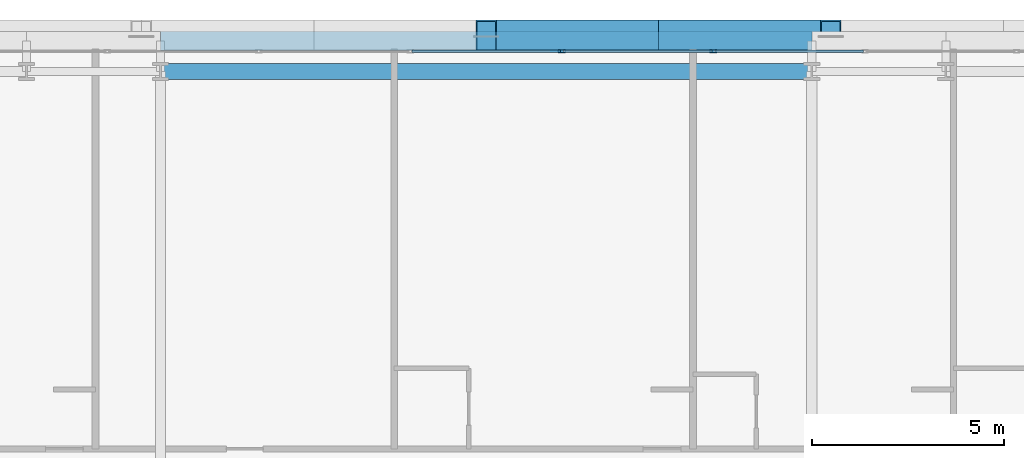
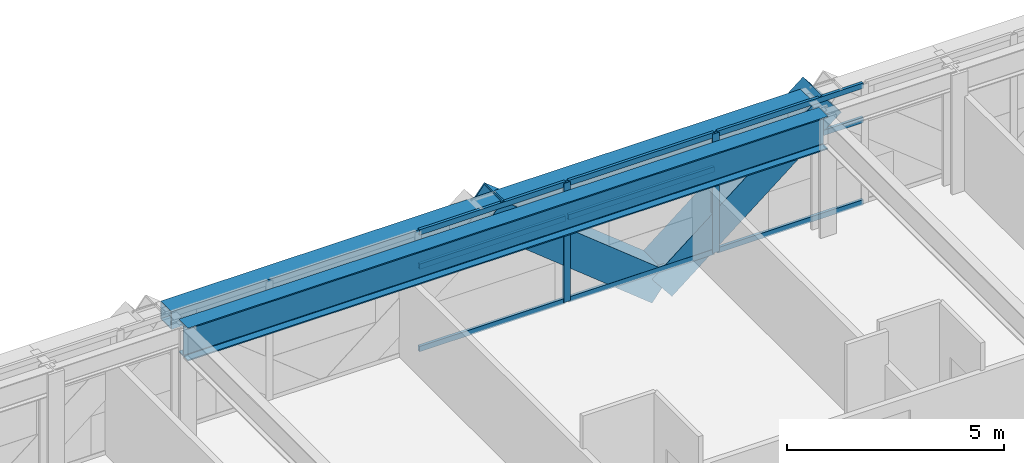
# One storey, part 19 of 38: 13 members, 2 beams, 1 element without a shape of its own.
"""IFC4 building model written with IfcOpenShell, lengths in metres."""

import ifcopenshell
import ifcopenshell.guid

model = None  # the IFC model being written
_history = None  # IfcOwnerHistory: only IFC2X3 demands one
_inside = {}  # id of a spatial element -> (the spatial element, [elements in it])
_under = {}  # id of a project, library or spatial element -> (it, [spatial elements below it])
_declared = {}  # id of a project -> (the project, [libraries it declares])
_typed = {}  # id of a type object -> (the type object, [elements of that type])
_made_of = {}  # id of a material, layer set ... -> (it, [elements and type objects made of it])


def new_model(schema):
    """Start an empty IFC model of exactly this schema.

    Asked for "IFC4X3", IfcOpenShell would pick the latest addendum, in which some entities
    have other attributes; the version numbers below select the first issue.
    IFC2X3 requires an IfcOwnerHistory on every rooted entity: one is made here for all.
    """
    global model, _history
    if schema == "IFC4X3":
        model = ifcopenshell.file(schema_version=(4, 3, 0, 0))
    else:
        model = ifcopenshell.file(schema=schema)
    _inside.clear()
    _under.clear()
    _declared.clear()
    _typed.clear()
    _made_of.clear()
    _history = None
    if model.schema == "IFC2X3":
        org = make("IfcOrganization", Name="unknown")
        user = make(
            "IfcPersonAndOrganization",
            ThePerson=make("IfcPerson", FamilyName="unknown"),
            TheOrganization=org,
        )
        app = make(
            "IfcApplication",
            ApplicationDeveloper=org,
            Version="unknown",
            ApplicationFullName="unknown",
            ApplicationIdentifier="unknown",
        )
        _history = make(
            "IfcOwnerHistory",
            OwningUser=user,
            OwningApplication=app,
            ChangeAction="ADDED",
            CreationDate=0,
        )
    return model


def make(cls, **values):
    """One entity of the class cls with the attributes given. An attribute that is None is left unset."""
    return model.create_entity(
        cls, **{name: value for name, value in values.items() if value is not None}
    )


def rooted(cls, **values):
    """An entity with a GlobalId (a new one), such as an element, a storey or a relation."""
    return make(cls, GlobalId=ifcopenshell.guid.new(), OwnerHistory=_history, **values)


def si_unit(unit_type, name, prefix=None):
    """IfcSIUnit, for example si_unit("LENGTHUNIT", "METRE", prefix="MILLI")."""
    return make("IfcSIUnit", UnitType=unit_type, Prefix=prefix, Name=name)


def assignment(units):
    """IfcUnitAssignment: the units of a project."""
    return None if units is None else make("IfcUnitAssignment", Units=units)


def point(xyz):
    """IfcCartesianPoint."""
    return None if xyz is None else make("IfcCartesianPoint", Coordinates=xyz)


def direction(xyz):
    """IfcDirection."""
    return None if xyz is None else make("IfcDirection", DirectionRatios=xyz)


def frame(location, z_axis=None, x_axis=None):
    """IfcAxis2Placement3D, a coordinate frame: its origin and axes. An axis left out is left unset."""
    return make(
        "IfcAxis2Placement3D",
        Location=point(location),
        Axis=direction(z_axis),
        RefDirection=direction(x_axis),
    )


def frame_2d(location, x_axis=None):
    """IfcAxis2Placement2D, a coordinate frame in the plane: its origin and x axis."""
    return make(
        "IfcAxis2Placement2D", Location=point(location), RefDirection=direction(x_axis)
    )


def origin():
    """The frame at (0, 0, 0) with its axes left unset."""
    return frame((0.0, 0.0, 0.0))


def origin_2d():
    """The frame at (0, 0) in the plane with its x axis left unset."""
    return frame_2d((0.0, 0.0))


def place(relative_to, where):
    """IfcLocalPlacement: puts the frame where relative to a parent placement (None: the world)."""
    return make(
        "IfcLocalPlacement", PlacementRelTo=relative_to, RelativePlacement=where
    )


def context(
    kind, dimensions, precision=None, world=None, true_north=None, identifier=None
):
    """IfcGeometricRepresentationContext, for example the 3D "Model" context."""
    return make(
        "IfcGeometricRepresentationContext",
        ContextIdentifier=identifier,
        ContextType=kind,
        CoordinateSpaceDimension=dimensions,
        Precision=precision,
        WorldCoordinateSystem=world,
        TrueNorth=true_north,
    )


def subcontext(parent, identifier, kind, view, scale=None):
    """IfcGeometricRepresentationSubContext, for example "Body" below "Model"."""
    return make(
        "IfcGeometricRepresentationSubContext",
        ContextIdentifier=identifier,
        ContextType=kind,
        ParentContext=parent,
        TargetScale=scale,
        TargetView=view,
    )


def project(units=None, contexts=None):
    """IfcProject with its units and contexts."""
    return rooted(
        "IfcProject",
        Name="project",
        RepresentationContexts=contexts,
        UnitsInContext=assignment(units),
    )


def spatial(cls, under=None, at=None, **own):
    """A site, building, storey or space (cls), placed at a placement, below another one or the project."""
    s = rooted(cls, ObjectPlacement=at, **own)
    if under is not None:
        _under.setdefault(under.id(), (under, []))[1].append(s)
    return s


def profile(cls, at=None, kind="AREA", **sizes):
    """A parametric profile (cls). Its sizes go by their IFC names, for example OverallWidth=200.0."""
    return make(cls, ProfileType=kind, Position=at, **sizes)


def hollow_rectangle(**sizes):
    """IfcRectangleHollowProfileDef."""
    return profile("IfcRectangleHollowProfileDef", **sizes)


def i_section(**sizes):
    """IfcIShapeProfileDef."""
    return profile("IfcIShapeProfileDef", **sizes)


def extrude(swept, where, along, depth):
    """IfcExtrudedAreaSolid: the profile swept, set in the frame where, extruded along a direction by depth."""
    return make(
        "IfcExtrudedAreaSolid",
        SweptArea=swept,
        Position=where,
        ExtrudedDirection=direction(along),
        Depth=depth,
    )


def shape(context_of_items, identifier, shape_type, items):
    """IfcShapeRepresentation: the items that make up one representation, for example the "Body"."""
    return make(
        "IfcShapeRepresentation",
        ContextOfItems=context_of_items,
        RepresentationIdentifier=identifier,
        RepresentationType=shape_type,
        Items=items,
    )


def source(mapping_origin, context_of_items, identifier, shape_type, items):
    """IfcRepresentationMap: a shape defined once, which mapped items show again and again."""
    return make(
        "IfcRepresentationMap",
        MappingOrigin=mapping_origin,
        MappedRepresentation=shape(context_of_items, identifier, shape_type, items),
    )


def transform(
    local_origin,
    x_axis=None,
    y_axis=None,
    z_axis=None,
    scale=None,
    scale2=None,
    scale3=None,
    uniform=True,
):
    """IfcCartesianTransformationOperator3D, or its non-uniform kind. x_axis, y_axis, z_axis: its Axis1, 2, 3."""
    if uniform:
        return make(
            "IfcCartesianTransformationOperator3D",
            Axis1=direction(x_axis),
            Axis2=direction(y_axis),
            LocalOrigin=point(local_origin),
            Scale=scale,
            Axis3=direction(z_axis),
        )
    return make(
        "IfcCartesianTransformationOperator3DnonUniform",
        Axis1=direction(x_axis),
        Axis2=direction(y_axis),
        LocalOrigin=point(local_origin),
        Scale=scale,
        Axis3=direction(z_axis),
        Scale2=scale2,
        Scale3=scale3,
    )


def mapped(mapping_source, mapping_target):
    """IfcMappedItem: shows the shape of a source again, moved by a transform."""
    return make(
        "IfcMappedItem", MappingSource=mapping_source, MappingTarget=mapping_target
    )


def material(Name=None, Category=None):
    """IfcMaterial."""
    return make("IfcMaterial", Name=Name, Category=Category)


def layer(
    of_material, thickness, ventilated=None, Name=None, Category=None, Priority=None
):
    """IfcMaterialLayer: one layer of a wall or slab, of a material (None: an air gap)."""
    return make(
        "IfcMaterialLayer",
        Material=of_material,
        LayerThickness=thickness,
        IsVentilated=ventilated,
        Name=Name,
        Category=Category,
        Priority=Priority,
    )


def layer_set(layers, Name=None):
    """IfcMaterialLayerSet."""
    return make("IfcMaterialLayerSet", MaterialLayers=layers, LayerSetName=Name)


def material_profile(
    of_material, cross_section, Name=None, Category=None, Priority=None
):
    """IfcMaterialProfile: a cross section and its material."""
    return make(
        "IfcMaterialProfile",
        Name=Name,
        Material=of_material,
        Profile=cross_section,
        Priority=Priority,
        Category=Category,
    )


def profile_set(profiles, Name=None, composite=None):
    """IfcMaterialProfileSet."""
    return make(
        "IfcMaterialProfileSet",
        Name=Name,
        MaterialProfiles=profiles,
        CompositeProfile=composite,
    )


def made_of(thing, what):
    """Note that an element or type object is made of a material, layer set ...; save() writes the relation."""
    if what is not None:
        _made_of.setdefault(what.id(), (what, []))[1].append(thing)
    return thing


def type_object(cls, material=None, **own):
    """A type object (cls), such as IfcWallType, which elements share."""
    return made_of(rooted(cls, **own), material)


def element(
    cls,
    number,
    at=None,
    inside=None,
    cuts=None,
    type_object=None,
    material=None,
    context=None,
    identifier="Body",
    shape_type=None,
    held_by="IfcProductDefinitionShape",
    body=None,
    shapes=None,
    **own,
):
    """One element of the class cls, such as IfcWall. Its Tag is "e" and its number.

    at: its placement. inside: the storey or other place that contains it. cuts: it is an
    opening in that element (IfcRelVoidsElement). A single representation is given by context,
    identifier, shape_type and body (its items); several are given by shapes. held_by: the class
    of the entity that holds the representations. save() writes the other relations.
    """
    e = rooted(cls, Tag="e%d" % number, ObjectPlacement=at, **own)
    if body is not None:
        shapes = [shape(context, identifier, shape_type, body)]
    if shapes is not None:
        e.Representation = make(held_by, Representations=shapes)
    if inside is not None:
        _inside.setdefault(inside.id(), (inside, []))[1].append(e)
    if cuts is not None:
        rooted(
            "IfcRelVoidsElement", RelatingBuildingElement=cuts, RelatedOpeningElement=e
        )
    if type_object is not None:
        _typed.setdefault(type_object.id(), (type_object, []))[1].append(e)
    return made_of(e, material)


def aggregate(whole, parts):
    """IfcRelAggregates: a whole, such as a stair, and the parts it consists of."""
    return rooted("IfcRelAggregates", RelatingObject=whole, RelatedObjects=parts)


def save(model, path):
    """Write the relations noted so far, then the file.

    IfcRelAggregates (storeys below a building ...), IfcRelContainedInSpatialStructure (elements
    in a storey), IfcRelDefinesByType, IfcRelAssociatesMaterial and IfcRelDeclares: one each for
    every whole, place, type object, material and project.
    """
    for whole, parts in _under.values():
        aggregate(whole, parts)
    for where, things in _inside.values():
        rooted(
            "IfcRelContainedInSpatialStructure",
            RelatedElements=things,
            RelatingStructure=where,
        )
    for kind, things in _typed.values():
        rooted("IfcRelDefinesByType", RelatedObjects=things, RelatingType=kind)
    for what, things in _made_of.values():
        rooted("IfcRelAssociatesMaterial", RelatedObjects=things, RelatingMaterial=what)
    for by, libraries in _declared.values():
        rooted("IfcRelDeclares", RelatingContext=by, RelatedDefinitions=libraries)
    model.write(path)


model = new_model("IFC4")

# Units and contexts
model_context = context("Model", 3, precision=1e-05, world=origin(), true_north=direction((0.0, 1.0)))
body_context = subcontext(model_context, "Body", "Model", "MODEL_VIEW")
ifc_project = project(units=[si_unit("LENGTHUNIT", "METRE"), si_unit("AREAUNIT", "SQUARE_METRE"), si_unit("VOLUMEUNIT", "CUBIC_METRE"), si_unit("PLANEANGLEUNIT", "RADIAN"), si_unit("MASSUNIT", "GRAM", prefix="KILO")], contexts=[model_context])

# Site, building, storey
site_placement = place(None, origin())
site = spatial("IfcSite", under=ifc_project, at=site_placement, CompositionType="ELEMENT")
building_placement = place(site_placement, origin())
building = spatial("IfcBuilding", under=site, at=building_placement, Name="Ocotamira Hotel", CompositionType="ELEMENT")
storey_placement = place(building_placement, frame((0.0, 0.0, 60.0)))
storey = spatial("IfcBuildingStorey", under=building, at=storey_placement, Name="L14", CompositionType="ELEMENT", Elevation=60.0)

# Beams
ifc_material_1 = material(Name="Steel ASTM A992 Grade 50", Category="steel")
ifc_material_profile_1 = material_profile(ifc_material_1, i_section(OverallWidth=0.41796875, OverallDepth=0.927001953125, WebThickness=0.019287109375, FlangeThickness=0.031982421875, FilletRadius=0.02392578125, at=origin_2d()), Name="W36X231")
ifc_profile_set_1 = profile_set([ifc_material_profile_1], Name="Steel ASTM A992 Grade 50")
beam_type_1 = type_object("IfcBeamType", Name="BM-GIRD-W36X231", PredefinedType="BEAM", material=ifc_profile_set_1)
shared_shape_1 = source(origin(), body_context, "Body", "SweptSolid", [
    extrude(i_section(OverallWidth=0.41796875, OverallDepth=0.927001953125, WebThickness=0.019287109375, FlangeThickness=0.031982421875, FilletRadius=0.02392578125, at=origin_2d()), origin(), (0.0, 0.0, 1.0), 17.0),
])
beam_1_placement = place(storey_placement, frame((23.5, 49.050048828125, 2.886474609375), z_axis=(1.0, 0.0, 0.0), x_axis=(0.0, 1.0, 0.0)))
element("IfcBeam", 1, at=beam_1_placement, inside=storey, type_object=beam_type_1, Name="L14 Girder Y49.05 X23.5-40.5", PredefinedType="BEAM", context=body_context, shape_type="MappedRepresentation", body=[
    mapped(shared_shape_1, transform((0.0, 0.0, 0.0), scale=1.0)),
])
ifc_material_2 = material(Name="Steel ASTM A500 Grade C", Category="steel")
ifc_material_profile_2 = material_profile(ifc_material_2, hollow_rectangle(XDim=0.5, YDim=0.5, WallThickness=0.02001953125, at=origin_2d()), Name="HSS500X500X20")
ifc_profile_set_2 = profile_set([ifc_material_profile_2], Name="Steel ASTM A500 Grade C")
beam_type_2 = type_object("IfcBeamType", Name="BM-SPAN-HSS500", PredefinedType="USERDEFINED", material=ifc_profile_set_2)
shared_shape_2 = source(origin(), body_context, "Body", "SweptSolid", [
    extrude(hollow_rectangle(XDim=0.5, YDim=0.5, WallThickness=0.02001953125, at=origin_2d()), origin(), (0.0, 0.0, 1.0), 17.0),
])
beam_2_placement = place(storey_placement, frame((23.5, 49.85009765625, 3.10009765625), z_axis=(1.0, 0.0, 0.0), x_axis=(0.0, 1.0, 0.0)))
element("IfcBeam", 2, at=beam_2_placement, inside=storey, type_object=beam_type_2, Name="L14 Edge Spandrel N X23.5-40.5", ObjectType="SPANDREL", PredefinedType="USERDEFINED", context=body_context, shape_type="MappedRepresentation", body=[
    mapped(shared_shape_2, transform((0.0, 0.0, 0.0), scale=1.0)),
])

# Members
ifc_material_3 = material(Name="Pale-metal coated steel ASTM A913 Grade 65", Category="steel")
ifc_material_profile_3 = material_profile(ifc_material_3, hollow_rectangle(XDim=0.85009765625, YDim=0.85009765625, WallThickness=0.035888671875, at=origin_2d()), Name="BOX850X850X36")
ifc_profile_set_3 = profile_set([ifc_material_profile_3], Name="Pale-metal coated steel ASTM A913 Grade 65")
member_type_1 = type_object("IfcMemberType", Name="MEM-EXO-BOX850", PredefinedType="BRACE", material=ifc_profile_set_3)
shared_shape_3 = source(origin(), body_context, "Body", "SweptSolid", [
    extrude(hollow_rectangle(XDim=0.85009765625, YDim=0.85009765625, WallThickness=0.035888671875, at=origin_2d()), origin(), (0.0, 0.0, 1.0), 5.762939453125),
])
for number, where, z_axis, x_axis, name in (
    (3, (36.5, 49.969970703125, -0.5), (-0.780860543151, 0.0, 0.624705380279), (0.0, -1.0, 0.0), "L14 Exoskeleton Diagrid N2.1"),
    (4, (36.5, 49.969970703125, -0.5), (0.780860543151, 0.0, 0.624705380279), (0.0, 1.0, 0.0), "L14 Exoskeleton Diagrid N2.2"),
):
    element("IfcMember", number, at=place(storey_placement, frame(where, z_axis=z_axis, x_axis=x_axis)), inside=storey, type_object=member_type_1, Name=name, PredefinedType="BRACE", context=body_context, shape_type="MappedRepresentation", body=[
        mapped(shared_shape_3, transform((0.0, 0.0, 0.0), scale=1.0)),
    ])

# Curtain wall, members
ifc_material_4 = material(Name="Anodised pale-metal aluminium and solar glass", Category="aluminium")
ifc_layer = layer(ifc_material_4, 0.179931640625)
ifc_layer_set = layer_set([ifc_layer], Name="Anodised pale-metal aluminium and solar glass")
curtain_wall_type = type_object("IfcCurtainWallType", Name="CW-SYS2-Z1", PredefinedType="NOTDEFINED", material=ifc_layer_set)
curtain_wall_placement = place(storey_placement, origin())
curtain_wall = element("IfcCurtainWall", 5, at=curtain_wall_placement, inside=storey, type_object=curtain_wall_type, Name="L14 Curtain Wall CW-2 CW-L14-N", PredefinedType="NOTDEFINED")
ifc_material_5 = material(Name="Anodised pale-metal aluminium 6063-T6", Category="aluminium")
ifc_material_profile_4 = material_profile(ifc_material_5, hollow_rectangle(XDim=0.074951171875, YDim=0.14990234375, WallThickness=0.006103515625, at=origin_2d()), Name="HSS150X75X6")
ifc_profile_set_4 = profile_set([ifc_material_profile_4], Name="Anodised pale-metal aluminium 6063-T6")
member_type_2 = type_object("IfcMemberType", Name="CWT-150X75", PredefinedType="USERDEFINED", material=ifc_profile_set_4)
shared_shape_4 = source(origin(), body_context, "Body", "SweptSolid", [
    extrude(hollow_rectangle(XDim=0.074951171875, YDim=0.14990234375, WallThickness=0.006103515625, at=origin_2d()), origin(), (0.0, 0.0, 1.0), 3.87548828125),
])
member_1_placement = place(storey_placement, frame((30.062255859375, 49.580078125, 0.03759765625), z_axis=(1.0, 0.0, 0.0), x_axis=(0.0, 1.0, 0.0)))
member_1 = element("IfcMember", 6, at=member_1_placement, type_object=member_type_2, Name="CW-2 transom 5.1", ObjectType="TRANSOM", PredefinedType="USERDEFINED", context=body_context, shape_type="MappedRepresentation", body=[
    mapped(shared_shape_4, transform((0.0, 0.0, 0.0), scale=1.0)),
])
member_2_placement = place(storey_placement, frame((30.062255859375, 49.580078125, 2.35009765625), z_axis=(1.0, 0.0, 0.0), x_axis=(0.0, 1.0, 0.0)))
member_2 = element("IfcMember", 7, at=member_2_placement, type_object=member_type_2, Name="CW-2 transom 5.2", ObjectType="TRANSOM", PredefinedType="USERDEFINED", context=body_context, shape_type="MappedRepresentation", body=[
    mapped(shared_shape_4, transform((0.0, 0.0, 0.0), scale=1.0)),
])
member_3_placement = place(storey_placement, frame((30.062255859375, 49.580078125, 3.3125), z_axis=(1.0, 0.0, 0.0), x_axis=(0.0, 1.0, 0.0)))
member_3 = element("IfcMember", 8, at=member_3_placement, type_object=member_type_2, Name="CW-2 transom 5.3", ObjectType="TRANSOM", PredefinedType="USERDEFINED", context=body_context, shape_type="MappedRepresentation", body=[
    mapped(shared_shape_4, transform((0.0, 0.0, 0.0), scale=1.0)),
])
member_4_placement = place(storey_placement, frame((34.017822265625, 49.580078125, 0.03759765625), z_axis=(1.0, 0.0, 0.0), x_axis=(0.0, 1.0, 0.0)))
member_4 = element("IfcMember", 9, at=member_4_placement, type_object=member_type_2, Name="CW-2 transom 6.1", ObjectType="TRANSOM", PredefinedType="USERDEFINED", context=body_context, shape_type="MappedRepresentation", body=[
    mapped(shared_shape_4, transform((0.0, 0.0, 0.0), scale=1.0)),
])
member_5_placement = place(storey_placement, frame((34.017822265625, 49.580078125, 2.35009765625), z_axis=(1.0, 0.0, 0.0), x_axis=(0.0, 1.0, 0.0)))
member_5 = element("IfcMember", 10, at=member_5_placement, type_object=member_type_2, Name="CW-2 transom 6.2", ObjectType="TRANSOM", PredefinedType="USERDEFINED", context=body_context, shape_type="MappedRepresentation", body=[
    mapped(shared_shape_4, transform((0.0, 0.0, 0.0), scale=1.0)),
])
member_6_placement = place(storey_placement, frame((34.017822265625, 49.580078125, 3.3125), z_axis=(1.0, 0.0, 0.0), x_axis=(0.0, 1.0, 0.0)))
member_6 = element("IfcMember", 11, at=member_6_placement, type_object=member_type_2, Name="CW-2 transom 6.3", ObjectType="TRANSOM", PredefinedType="USERDEFINED", context=body_context, shape_type="MappedRepresentation", body=[
    mapped(shared_shape_4, transform((0.0, 0.0, 0.0), scale=1.0)),
])
member_7_placement = place(storey_placement, frame((37.973388671875, 49.580078125, 0.03759765625), z_axis=(1.0, 0.0, 0.0), x_axis=(0.0, 1.0, 0.0)))
member_7 = element("IfcMember", 12, at=member_7_placement, type_object=member_type_2, Name="CW-2 transom 7.1", ObjectType="TRANSOM", PredefinedType="USERDEFINED", context=body_context, shape_type="MappedRepresentation", body=[
    mapped(shared_shape_4, transform((0.0, 0.0, 0.0), scale=1.0)),
])
member_8_placement = place(storey_placement, frame((37.973388671875, 49.580078125, 2.35009765625), z_axis=(1.0, 0.0, 0.0), x_axis=(0.0, 1.0, 0.0)))
member_8 = element("IfcMember", 13, at=member_8_placement, type_object=member_type_2, Name="CW-2 transom 7.2", ObjectType="TRANSOM", PredefinedType="USERDEFINED", context=body_context, shape_type="MappedRepresentation", body=[
    mapped(shared_shape_4, transform((0.0, 0.0, 0.0), scale=1.0)),
])
member_9_placement = place(storey_placement, frame((37.973388671875, 49.580078125, 3.3125), z_axis=(1.0, 0.0, 0.0), x_axis=(0.0, 1.0, 0.0)))
member_9 = element("IfcMember", 14, at=member_9_placement, type_object=member_type_2, Name="CW-2 transom 7.3", ObjectType="TRANSOM", PredefinedType="USERDEFINED", context=body_context, shape_type="MappedRepresentation", body=[
    mapped(shared_shape_4, transform((0.0, 0.0, 0.0), scale=1.0)),
])
ifc_material_profile_5 = material_profile(ifc_material_5, hollow_rectangle(XDim=0.080078125, YDim=0.179931640625, WallThickness=0.006103515625, at=origin_2d()), Name="HSS180X80X6")
ifc_profile_set_5 = profile_set([ifc_material_profile_5], Name="Anodised pale-metal aluminium 6063-T6")
member_type_3 = type_object("IfcMemberType", Name="CWM-180X75", PredefinedType="MULLION", material=ifc_profile_set_5)
shared_shape_5 = source(origin(), body_context, "Body", "SweptSolid", [
    extrude(hollow_rectangle(XDim=0.080078125, YDim=0.179931640625, WallThickness=0.006103515625, at=origin_2d()), origin(), (0.0, 0.0, 1.0), 3.35009765625),
])
member_10_placement = place(storey_placement, frame((33.977783203125, 49.580078125, 0.0), z_axis=(0.0, 0.0, 1.0), x_axis=(0.0, 1.0, 0.0)))
member_10 = element("IfcMember", 15, at=member_10_placement, type_object=member_type_3, Name="CW-2 mullion 6", PredefinedType="MULLION", context=body_context, shape_type="MappedRepresentation", body=[
    mapped(shared_shape_5, transform((0.0, 0.0, 0.0), scale=1.0)),
])
member_11_placement = place(storey_placement, frame((37.933349609375, 49.580078125, 0.0), z_axis=(0.0, 0.0, 1.0), x_axis=(0.0, 1.0, 0.0)))
member_11 = element("IfcMember", 16, at=member_11_placement, type_object=member_type_3, Name="CW-2 mullion 7", PredefinedType="MULLION", context=body_context, shape_type="MappedRepresentation", body=[
    mapped(shared_shape_5, transform((0.0, 0.0, 0.0), scale=1.0)),
])
aggregate(curtain_wall, [member_10, member_11, member_1, member_2, member_3, member_4, member_5, member_6, member_7, member_8, member_9])

save(model, "model.ifc")
